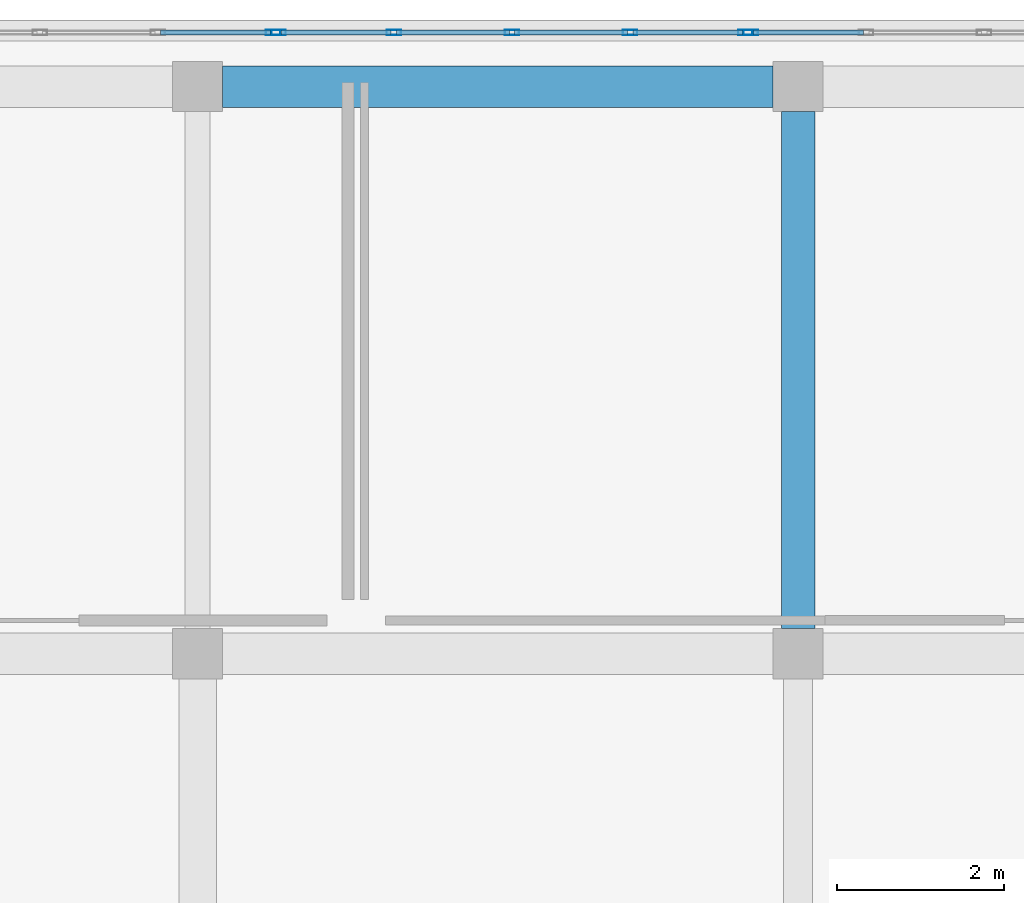
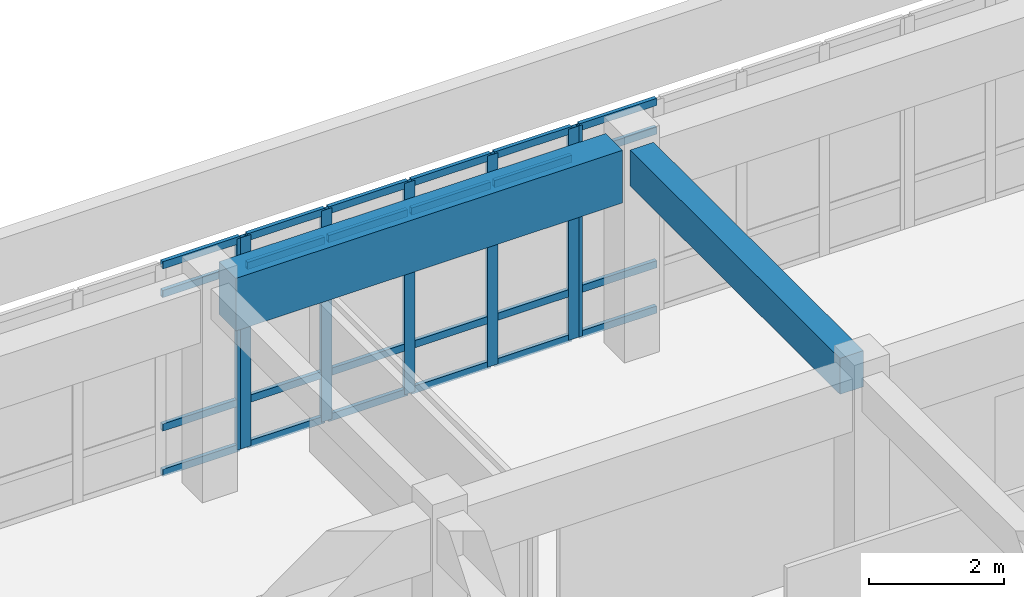
# One storey, part 7 of 14: 31 members, 2 beams, 3 elements without a shape of their own.
"""IFC4 building model written with IfcOpenShell, lengths in metres."""

import ifcopenshell
import ifcopenshell.guid

model = None  # the IFC model being written
_history = None  # IfcOwnerHistory: only IFC2X3 demands one
_inside = {}  # id of a spatial element -> (the spatial element, [elements in it])
_under = {}  # id of a project, library or spatial element -> (it, [spatial elements below it])
_declared = {}  # id of a project -> (the project, [libraries it declares])
_typed = {}  # id of a type object -> (the type object, [elements of that type])
_made_of = {}  # id of a material, layer set ... -> (it, [elements and type objects made of it])


def new_model(schema):
    """Start an empty IFC model of exactly this schema.

    Asked for "IFC4X3", IfcOpenShell would pick the latest addendum, in which some entities
    have other attributes; the version numbers below select the first issue.
    IFC2X3 requires an IfcOwnerHistory on every rooted entity: one is made here for all.
    """
    global model, _history
    if schema == "IFC4X3":
        model = ifcopenshell.file(schema_version=(4, 3, 0, 0))
    else:
        model = ifcopenshell.file(schema=schema)
    _inside.clear()
    _under.clear()
    _declared.clear()
    _typed.clear()
    _made_of.clear()
    _history = None
    if model.schema == "IFC2X3":
        org = make("IfcOrganization", Name="unknown")
        user = make(
            "IfcPersonAndOrganization",
            ThePerson=make("IfcPerson", FamilyName="unknown"),
            TheOrganization=org,
        )
        app = make(
            "IfcApplication",
            ApplicationDeveloper=org,
            Version="unknown",
            ApplicationFullName="unknown",
            ApplicationIdentifier="unknown",
        )
        _history = make(
            "IfcOwnerHistory",
            OwningUser=user,
            OwningApplication=app,
            ChangeAction="ADDED",
            CreationDate=0,
        )
    return model


def make(cls, **values):
    """One entity of the class cls with the attributes given. An attribute that is None is left unset."""
    return model.create_entity(
        cls, **{name: value for name, value in values.items() if value is not None}
    )


def rooted(cls, **values):
    """An entity with a GlobalId (a new one), such as an element, a storey or a relation."""
    return make(cls, GlobalId=ifcopenshell.guid.new(), OwnerHistory=_history, **values)


def si_unit(unit_type, name, prefix=None):
    """IfcSIUnit, for example si_unit("LENGTHUNIT", "METRE", prefix="MILLI")."""
    return make("IfcSIUnit", UnitType=unit_type, Prefix=prefix, Name=name)


def assignment(units):
    """IfcUnitAssignment: the units of a project."""
    return None if units is None else make("IfcUnitAssignment", Units=units)


def point(xyz):
    """IfcCartesianPoint."""
    return None if xyz is None else make("IfcCartesianPoint", Coordinates=xyz)


def direction(xyz):
    """IfcDirection."""
    return None if xyz is None else make("IfcDirection", DirectionRatios=xyz)


def frame(location, z_axis=None, x_axis=None):
    """IfcAxis2Placement3D, a coordinate frame: its origin and axes. An axis left out is left unset."""
    return make(
        "IfcAxis2Placement3D",
        Location=point(location),
        Axis=direction(z_axis),
        RefDirection=direction(x_axis),
    )


def frame_2d(location, x_axis=None):
    """IfcAxis2Placement2D, a coordinate frame in the plane: its origin and x axis."""
    return make(
        "IfcAxis2Placement2D", Location=point(location), RefDirection=direction(x_axis)
    )


def origin():
    """The frame at (0, 0, 0) with its axes left unset."""
    return frame((0.0, 0.0, 0.0))


def origin_2d():
    """The frame at (0, 0) in the plane with its x axis left unset."""
    return frame_2d((0.0, 0.0))


def place(relative_to, where):
    """IfcLocalPlacement: puts the frame where relative to a parent placement (None: the world)."""
    return make(
        "IfcLocalPlacement", PlacementRelTo=relative_to, RelativePlacement=where
    )


def context(
    kind, dimensions, precision=None, world=None, true_north=None, identifier=None
):
    """IfcGeometricRepresentationContext, for example the 3D "Model" context."""
    return make(
        "IfcGeometricRepresentationContext",
        ContextIdentifier=identifier,
        ContextType=kind,
        CoordinateSpaceDimension=dimensions,
        Precision=precision,
        WorldCoordinateSystem=world,
        TrueNorth=true_north,
    )


def subcontext(parent, identifier, kind, view, scale=None):
    """IfcGeometricRepresentationSubContext, for example "Body" below "Model"."""
    return make(
        "IfcGeometricRepresentationSubContext",
        ContextIdentifier=identifier,
        ContextType=kind,
        ParentContext=parent,
        TargetScale=scale,
        TargetView=view,
    )


def project(units=None, contexts=None):
    """IfcProject with its units and contexts."""
    return rooted(
        "IfcProject",
        Name="project",
        RepresentationContexts=contexts,
        UnitsInContext=assignment(units),
    )


def spatial(cls, under=None, at=None, **own):
    """A site, building, storey or space (cls), placed at a placement, below another one or the project."""
    s = rooted(cls, ObjectPlacement=at, **own)
    if under is not None:
        _under.setdefault(under.id(), (under, []))[1].append(s)
    return s


def profile(cls, at=None, kind="AREA", **sizes):
    """A parametric profile (cls). Its sizes go by their IFC names, for example OverallWidth=200.0."""
    return make(cls, ProfileType=kind, Position=at, **sizes)


def rectangle(**sizes):
    """IfcRectangleProfileDef."""
    return profile("IfcRectangleProfileDef", **sizes)


def hollow_rectangle(**sizes):
    """IfcRectangleHollowProfileDef."""
    return profile("IfcRectangleHollowProfileDef", **sizes)


def extrude(swept, where, along, depth):
    """IfcExtrudedAreaSolid: the profile swept, set in the frame where, extruded along a direction by depth."""
    return make(
        "IfcExtrudedAreaSolid",
        SweptArea=swept,
        Position=where,
        ExtrudedDirection=direction(along),
        Depth=depth,
    )


def shape(context_of_items, identifier, shape_type, items):
    """IfcShapeRepresentation: the items that make up one representation, for example the "Body"."""
    return make(
        "IfcShapeRepresentation",
        ContextOfItems=context_of_items,
        RepresentationIdentifier=identifier,
        RepresentationType=shape_type,
        Items=items,
    )


def material(Name=None, Category=None):
    """IfcMaterial."""
    return make("IfcMaterial", Name=Name, Category=Category)


def layer(
    of_material, thickness, ventilated=None, Name=None, Category=None, Priority=None
):
    """IfcMaterialLayer: one layer of a wall or slab, of a material (None: an air gap)."""
    return make(
        "IfcMaterialLayer",
        Material=of_material,
        LayerThickness=thickness,
        IsVentilated=ventilated,
        Name=Name,
        Category=Category,
        Priority=Priority,
    )


def layer_set(layers, Name=None):
    """IfcMaterialLayerSet."""
    return make("IfcMaterialLayerSet", MaterialLayers=layers, LayerSetName=Name)


def material_profile(
    of_material, cross_section, Name=None, Category=None, Priority=None
):
    """IfcMaterialProfile: a cross section and its material."""
    return make(
        "IfcMaterialProfile",
        Name=Name,
        Material=of_material,
        Profile=cross_section,
        Priority=Priority,
        Category=Category,
    )


def profile_set(profiles, Name=None, composite=None):
    """IfcMaterialProfileSet."""
    return make(
        "IfcMaterialProfileSet",
        Name=Name,
        MaterialProfiles=profiles,
        CompositeProfile=composite,
    )


def made_of(thing, what):
    """Note that an element or type object is made of a material, layer set ...; save() writes the relation."""
    if what is not None:
        _made_of.setdefault(what.id(), (what, []))[1].append(thing)
    return thing


def type_object(cls, material=None, **own):
    """A type object (cls), such as IfcWallType, which elements share."""
    return made_of(rooted(cls, **own), material)


def element(
    cls,
    number,
    at=None,
    inside=None,
    cuts=None,
    type_object=None,
    material=None,
    context=None,
    identifier="Body",
    shape_type=None,
    held_by="IfcProductDefinitionShape",
    body=None,
    shapes=None,
    **own,
):
    """One element of the class cls, such as IfcWall. Its Tag is "e" and its number.

    at: its placement. inside: the storey or other place that contains it. cuts: it is an
    opening in that element (IfcRelVoidsElement). A single representation is given by context,
    identifier, shape_type and body (its items); several are given by shapes. held_by: the class
    of the entity that holds the representations. save() writes the other relations.
    """
    e = rooted(cls, Tag="e%d" % number, ObjectPlacement=at, **own)
    if body is not None:
        shapes = [shape(context, identifier, shape_type, body)]
    if shapes is not None:
        e.Representation = make(held_by, Representations=shapes)
    if inside is not None:
        _inside.setdefault(inside.id(), (inside, []))[1].append(e)
    if cuts is not None:
        rooted(
            "IfcRelVoidsElement", RelatingBuildingElement=cuts, RelatedOpeningElement=e
        )
    if type_object is not None:
        _typed.setdefault(type_object.id(), (type_object, []))[1].append(e)
    return made_of(e, material)


def aggregate(whole, parts):
    """IfcRelAggregates: a whole, such as a stair, and the parts it consists of."""
    return rooted("IfcRelAggregates", RelatingObject=whole, RelatedObjects=parts)


def save(model, path):
    """Write the relations noted so far, then the file.

    IfcRelAggregates (storeys below a building ...), IfcRelContainedInSpatialStructure (elements
    in a storey), IfcRelDefinesByType, IfcRelAssociatesMaterial and IfcRelDeclares: one each for
    every whole, place, type object, material and project.
    """
    for whole, parts in _under.values():
        aggregate(whole, parts)
    for where, things in _inside.values():
        rooted(
            "IfcRelContainedInSpatialStructure",
            RelatedElements=things,
            RelatingStructure=where,
        )
    for kind, things in _typed.values():
        rooted("IfcRelDefinesByType", RelatedObjects=things, RelatingType=kind)
    for what, things in _made_of.values():
        rooted("IfcRelAssociatesMaterial", RelatedObjects=things, RelatingMaterial=what)
    for by, libraries in _declared.values():
        rooted("IfcRelDeclares", RelatingContext=by, RelatedDefinitions=libraries)
    model.write(path)


model = new_model("IFC4")

# Units and contexts
model_context = context("Model", 3, precision=1e-05, world=origin(), true_north=direction((0.0, 1.0)))
body_context = subcontext(model_context, "Body", "Model", "MODEL_VIEW")
ifc_project = project(units=[si_unit("LENGTHUNIT", "METRE"), si_unit("AREAUNIT", "SQUARE_METRE"), si_unit("VOLUMEUNIT", "CUBIC_METRE"), si_unit("PLANEANGLEUNIT", "RADIAN"), si_unit("MASSUNIT", "GRAM", prefix="KILO")], contexts=[model_context])

# Site, building, storey
site_placement = place(None, origin())
site = spatial("IfcSite", under=ifc_project, at=site_placement, CompositionType="ELEMENT")
building_placement = place(site_placement, origin())
building = spatial("IfcBuilding", under=site, at=building_placement, Name="Valcora Specialist Clinic", CompositionType="ELEMENT")
storey_placement = place(building_placement, frame((0.0, 0.0, 21.760009765625)))
storey = spatial("IfcBuildingStorey", under=building, at=storey_placement, Name="L05", CompositionType="ELEMENT", Elevation=21.760009765625)

# Beams
ifc_material_1 = material(Name="Concrete C40/50", Category="concrete")
ifc_material_profile_1 = material_profile(ifc_material_1, rectangle(XDim=0.39990234375, YDim=0.64990234375, at=origin_2d()), Name="RC-BM-400X650")
ifc_profile_set_1 = profile_set([ifc_material_profile_1], Name="Concrete C40/50")
beam_type_1 = type_object("IfcBeamType", Name="TY-BM-RC400X650", PredefinedType="BEAM", material=ifc_profile_set_1)
beam_1_placement = place(storey_placement, frame((23.39990234375, 15.5, 3.485107421875), z_axis=(0.0, 1.0, 0.0), x_axis=(-1.0, 0.0, 0.0)))
element("IfcBeam", 1, at=beam_1_placement, inside=storey, type_object=beam_type_1, Name="Beam BM-L05-1141", PredefinedType="BEAM", context=body_context, shape_type="SweptSolid", body=[
    extrude(rectangle(XDim=0.39990234375, YDim=0.64990234375, at=origin_2d()), origin(), (0.0, 0.0, 1.0), 6.199951171875),
])
ifc_material_profile_2 = material_profile(ifc_material_1, rectangle(XDim=0.5, YDim=0.949951171875, at=origin_2d()), Name="RC-BM-500X950")
ifc_profile_set_2 = profile_set([ifc_material_profile_2], Name="Concrete C40/50")
beam_type_2 = type_object("IfcBeamType", Name="TY-BM-TR500X950", PredefinedType="BEAM", material=ifc_profile_set_2)
beam_2_placement = place(storey_placement, frame((16.5, 22.0, 3.3349609375), z_axis=(1.0, 0.0, 0.0), x_axis=(0.0, 1.0, 0.0)))
element("IfcBeam", 2, at=beam_2_placement, inside=storey, type_object=beam_type_2, Name="Beam BM-L05-1129", PredefinedType="BEAM", context=body_context, shape_type="SweptSolid", body=[
    extrude(rectangle(XDim=0.5, YDim=0.949951171875, at=origin_2d()), origin(), (0.0, 0.0, 1.0), 6.60009765625),
])

# Curtain wall, member
ifc_material_2 = material(Name="Anodized Bronze Aluminium 6063-T6", Category="aluminium")
ifc_layer = layer(ifc_material_2, 0.175048828125)
ifc_layer_set = layer_set([ifc_layer], Name="Anodized Bronze Aluminium 6063-T6")
curtain_wall_type = type_object("IfcCurtainWallType", Name="TY-CW-V5F15", PredefinedType="NOTDEFINED", material=ifc_layer_set)
curtain_wall_1_placement = place(storey_placement, origin())
curtain_wall_1 = element("IfcCurtainWall", 3, at=curtain_wall_1_placement, inside=storey, type_object=curtain_wall_type, Name="Curtain wall CW-L05-180", PredefinedType="NOTDEFINED")
ifc_material_profile_3 = material_profile(ifc_material_2, hollow_rectangle(XDim=0.06494140625, YDim=0.175048828125, WallThickness=0.00390625, at=origin_2d()), Name="AL-MUL-65X175")
ifc_profile_set_3 = profile_set([ifc_material_profile_3], Name="Anodized Bronze Aluminium 6063-T6")
member_type_1 = type_object("IfcMemberType", Name="TY-CWM-65X175", PredefinedType="MULLION", material=ifc_profile_set_3)
member_1_placement = place(storey_placement, frame((17.10498046875, 22.64990234375, 0.0), z_axis=(0.0, 0.0, 1.0), x_axis=(0.0, 1.0, 0.0)))
member_1 = element("IfcMember", 4, at=member_1_placement, type_object=member_type_1, Name="CW-V5F-15 mullion 5", PredefinedType="MULLION", context=body_context, shape_type="SweptSolid", body=[
    extrude(hollow_rectangle(XDim=0.06494140625, YDim=0.175048828125, WallThickness=0.00390625, at=origin_2d()), origin(), (0.0, 0.0, 1.0), 3.81005859375),
])

# Curtain wall, members
curtain_wall_2_placement = place(storey_placement, origin())
curtain_wall_2 = element("IfcCurtainWall", 5, at=curtain_wall_2_placement, inside=storey, type_object=curtain_wall_type, Name="Curtain wall CW-L05-181", PredefinedType="NOTDEFINED")
member_2_placement = place(storey_placement, frame((17.169921875, 22.64990234375, 0.0), z_axis=(0.0, 0.0, 1.0), x_axis=(0.0, 1.0, 0.0)))
member_2 = element("IfcMember", 6, at=member_2_placement, type_object=member_type_1, Name="CW-V5F-15 mullion 1", PredefinedType="MULLION", context=body_context, shape_type="SweptSolid", body=[
    extrude(hollow_rectangle(XDim=0.06494140625, YDim=0.175048828125, WallThickness=0.00390625, at=origin_2d()), origin(), (0.0, 0.0, 1.0), 3.81005859375),
])
member_3_placement = place(storey_placement, frame((18.55322265625, 22.64990234375, 0.0), z_axis=(0.0, 0.0, 1.0), x_axis=(0.0, 1.0, 0.0)))
member_3 = element("IfcMember", 7, at=member_3_placement, type_object=member_type_1, Name="CW-V5F-15 mullion 2", PredefinedType="MULLION", context=body_context, shape_type="SweptSolid", body=[
    extrude(hollow_rectangle(XDim=0.06494140625, YDim=0.175048828125, WallThickness=0.00390625, at=origin_2d()), origin(), (0.0, 0.0, 1.0), 3.81005859375),
])
member_4_placement = place(storey_placement, frame((19.96875, 22.64990234375, 0.0), z_axis=(0.0, 0.0, 1.0), x_axis=(0.0, 1.0, 0.0)))
member_4 = element("IfcMember", 8, at=member_4_placement, type_object=member_type_1, Name="CW-V5F-15 mullion 3", PredefinedType="MULLION", context=body_context, shape_type="SweptSolid", body=[
    extrude(hollow_rectangle(XDim=0.06494140625, YDim=0.175048828125, WallThickness=0.00390625, at=origin_2d()), origin(), (0.0, 0.0, 1.0), 3.81005859375),
])
member_5_placement = place(storey_placement, frame((21.38427734375, 22.64990234375, 0.0), z_axis=(0.0, 0.0, 1.0), x_axis=(0.0, 1.0, 0.0)))
member_5 = element("IfcMember", 9, at=member_5_placement, type_object=member_type_1, Name="CW-V5F-15 mullion 4", PredefinedType="MULLION", context=body_context, shape_type="SweptSolid", body=[
    extrude(hollow_rectangle(XDim=0.06494140625, YDim=0.175048828125, WallThickness=0.00390625, at=origin_2d()), origin(), (0.0, 0.0, 1.0), 3.81005859375),
])
member_6_placement = place(storey_placement, frame((22.767578125, 22.64990234375, 0.0), z_axis=(0.0, 0.0, 1.0), x_axis=(0.0, 1.0, 0.0)))
member_6 = element("IfcMember", 10, at=member_6_placement, type_object=member_type_1, Name="CW-V5F-15 mullion 5", PredefinedType="MULLION", context=body_context, shape_type="SweptSolid", body=[
    extrude(hollow_rectangle(XDim=0.06494140625, YDim=0.175048828125, WallThickness=0.00390625, at=origin_2d()), origin(), (0.0, 0.0, 1.0), 3.81005859375),
])

# Curtain wall, member
curtain_wall_3_placement = place(storey_placement, origin())
curtain_wall_3 = element("IfcCurtainWall", 11, at=curtain_wall_3_placement, inside=storey, type_object=curtain_wall_type, Name="Curtain wall CW-L05-182", PredefinedType="NOTDEFINED")
member_7_placement = place(storey_placement, frame((22.83251953125, 22.64990234375, 0.0), z_axis=(0.0, 0.0, 1.0), x_axis=(0.0, 1.0, 0.0)))
member_7 = element("IfcMember", 12, at=member_7_placement, type_object=member_type_1, Name="CW-V5F-15 mullion 1", PredefinedType="MULLION", context=body_context, shape_type="SweptSolid", body=[
    extrude(hollow_rectangle(XDim=0.06494140625, YDim=0.175048828125, WallThickness=0.00390625, at=origin_2d()), origin(), (0.0, 0.0, 1.0), 3.81005859375),
])

# Member
ifc_material_profile_4 = material_profile(ifc_material_2, hollow_rectangle(XDim=0.06494140625, YDim=0.1298828125, WallThickness=0.00390625, at=origin_2d()), Name="AL-TRN-65X130")
ifc_profile_set_4 = profile_set([ifc_material_profile_4], Name="Anodized Bronze Aluminium 6063-T6")
member_type_2 = type_object("IfcMemberType", Name="TY-CWT-65X130", PredefinedType="USERDEFINED", material=ifc_profile_set_4)
member_8_placement = place(storey_placement, frame((15.75439453125, 22.64990234375, 0.032470703125), z_axis=(1.0, 0.0, 0.0), x_axis=(0.0, 1.0, 0.0)))
member_8 = element("IfcMember", 13, at=member_8_placement, type_object=member_type_2, Name="CW-V5F-15 transom 4.1", ObjectType="TRANSOM", PredefinedType="USERDEFINED", context=body_context, shape_type="SweptSolid", body=[
    extrude(hollow_rectangle(XDim=0.06494140625, YDim=0.1298828125, WallThickness=0.00390625, at=origin_2d()), origin(), (0.0, 0.0, 1.0), 1.318115234375),
])

member_9_placement = place(storey_placement, frame((15.75439453125, 22.64990234375, 0.85009765625), z_axis=(1.0, 0.0, 0.0), x_axis=(0.0, 1.0, 0.0)))
member_9 = element("IfcMember", 14, at=member_9_placement, type_object=member_type_2, Name="CW-V5F-15 transom 4.2", ObjectType="TRANSOM", PredefinedType="USERDEFINED", context=body_context, shape_type="SweptSolid", body=[
    extrude(hollow_rectangle(XDim=0.06494140625, YDim=0.1298828125, WallThickness=0.00390625, at=origin_2d()), origin(), (0.0, 0.0, 1.0), 1.318115234375),
])

member_10_placement = place(storey_placement, frame((15.75439453125, 22.64990234375, 3.260009765625), z_axis=(1.0, 0.0, 0.0), x_axis=(0.0, 1.0, 0.0)))
member_10 = element("IfcMember", 15, at=member_10_placement, type_object=member_type_2, Name="CW-V5F-15 transom 4.3", ObjectType="TRANSOM", PredefinedType="USERDEFINED", context=body_context, shape_type="SweptSolid", body=[
    extrude(hollow_rectangle(XDim=0.06494140625, YDim=0.1298828125, WallThickness=0.00390625, at=origin_2d()), origin(), (0.0, 0.0, 1.0), 1.318115234375),
])

member_11_placement = place(storey_placement, frame((15.75439453125, 22.64990234375, 3.777587890625), z_axis=(1.0, 0.0, 0.0), x_axis=(0.0, 1.0, 0.0)))
member_11 = element("IfcMember", 16, at=member_11_placement, type_object=member_type_2, Name="CW-V5F-15 transom 4.4", ObjectType="TRANSOM", PredefinedType="USERDEFINED", context=body_context, shape_type="SweptSolid", body=[
    extrude(hollow_rectangle(XDim=0.06494140625, YDim=0.1298828125, WallThickness=0.00390625, at=origin_2d()), origin(), (0.0, 0.0, 1.0), 1.318115234375),
])

aggregate(curtain_wall_1, [member_1, member_8, member_9, member_10, member_11])

member_12_placement = place(storey_placement, frame((17.202392578125, 22.64990234375, 0.032470703125), z_axis=(1.0, 0.0, 0.0), x_axis=(0.0, 1.0, 0.0)))
member_12 = element("IfcMember", 17, at=member_12_placement, type_object=member_type_2, Name="CW-V5F-15 transom 1.1", ObjectType="TRANSOM", PredefinedType="USERDEFINED", context=body_context, shape_type="SweptSolid", body=[
    extrude(hollow_rectangle(XDim=0.06494140625, YDim=0.1298828125, WallThickness=0.00390625, at=origin_2d()), origin(), (0.0, 0.0, 1.0), 1.318115234375),
])

member_13_placement = place(storey_placement, frame((17.202392578125, 22.64990234375, 0.85009765625), z_axis=(1.0, 0.0, 0.0), x_axis=(0.0, 1.0, 0.0)))
member_13 = element("IfcMember", 18, at=member_13_placement, type_object=member_type_2, Name="CW-V5F-15 transom 1.2", ObjectType="TRANSOM", PredefinedType="USERDEFINED", context=body_context, shape_type="SweptSolid", body=[
    extrude(hollow_rectangle(XDim=0.06494140625, YDim=0.1298828125, WallThickness=0.00390625, at=origin_2d()), origin(), (0.0, 0.0, 1.0), 1.318115234375),
])

member_14_placement = place(storey_placement, frame((17.202392578125, 22.64990234375, 3.260009765625), z_axis=(1.0, 0.0, 0.0), x_axis=(0.0, 1.0, 0.0)))
member_14 = element("IfcMember", 19, at=member_14_placement, type_object=member_type_2, Name="CW-V5F-15 transom 1.3", ObjectType="TRANSOM", PredefinedType="USERDEFINED", context=body_context, shape_type="SweptSolid", body=[
    extrude(hollow_rectangle(XDim=0.06494140625, YDim=0.1298828125, WallThickness=0.00390625, at=origin_2d()), origin(), (0.0, 0.0, 1.0), 1.318115234375),
])

member_15_placement = place(storey_placement, frame((17.202392578125, 22.64990234375, 3.777587890625), z_axis=(1.0, 0.0, 0.0), x_axis=(0.0, 1.0, 0.0)))
member_15 = element("IfcMember", 20, at=member_15_placement, type_object=member_type_2, Name="CW-V5F-15 transom 1.4", ObjectType="TRANSOM", PredefinedType="USERDEFINED", context=body_context, shape_type="SweptSolid", body=[
    extrude(hollow_rectangle(XDim=0.06494140625, YDim=0.1298828125, WallThickness=0.00390625, at=origin_2d()), origin(), (0.0, 0.0, 1.0), 1.318115234375),
])

member_16_placement = place(storey_placement, frame((18.585693359375, 22.64990234375, 0.032470703125), z_axis=(1.0, 0.0, 0.0), x_axis=(0.0, 1.0, 0.0)))
member_16 = element("IfcMember", 21, at=member_16_placement, type_object=member_type_2, Name="CW-V5F-15 transom 2.1", ObjectType="TRANSOM", PredefinedType="USERDEFINED", context=body_context, shape_type="SweptSolid", body=[
    extrude(hollow_rectangle(XDim=0.06494140625, YDim=0.1298828125, WallThickness=0.00390625, at=origin_2d()), origin(), (0.0, 0.0, 1.0), 1.3505859375),
])

member_17_placement = place(storey_placement, frame((18.585693359375, 22.64990234375, 0.85009765625), z_axis=(1.0, 0.0, 0.0), x_axis=(0.0, 1.0, 0.0)))
member_17 = element("IfcMember", 22, at=member_17_placement, type_object=member_type_2, Name="CW-V5F-15 transom 2.2", ObjectType="TRANSOM", PredefinedType="USERDEFINED", context=body_context, shape_type="SweptSolid", body=[
    extrude(hollow_rectangle(XDim=0.06494140625, YDim=0.1298828125, WallThickness=0.00390625, at=origin_2d()), origin(), (0.0, 0.0, 1.0), 1.3505859375),
])

member_18_placement = place(storey_placement, frame((18.585693359375, 22.64990234375, 3.260009765625), z_axis=(1.0, 0.0, 0.0), x_axis=(0.0, 1.0, 0.0)))
member_18 = element("IfcMember", 23, at=member_18_placement, type_object=member_type_2, Name="CW-V5F-15 transom 2.3", ObjectType="TRANSOM", PredefinedType="USERDEFINED", context=body_context, shape_type="SweptSolid", body=[
    extrude(hollow_rectangle(XDim=0.06494140625, YDim=0.1298828125, WallThickness=0.00390625, at=origin_2d()), origin(), (0.0, 0.0, 1.0), 1.3505859375),
])

member_19_placement = place(storey_placement, frame((18.585693359375, 22.64990234375, 3.777587890625), z_axis=(1.0, 0.0, 0.0), x_axis=(0.0, 1.0, 0.0)))
member_19 = element("IfcMember", 24, at=member_19_placement, type_object=member_type_2, Name="CW-V5F-15 transom 2.4", ObjectType="TRANSOM", PredefinedType="USERDEFINED", context=body_context, shape_type="SweptSolid", body=[
    extrude(hollow_rectangle(XDim=0.06494140625, YDim=0.1298828125, WallThickness=0.00390625, at=origin_2d()), origin(), (0.0, 0.0, 1.0), 1.3505859375),
])

member_20_placement = place(storey_placement, frame((20.001220703125, 22.64990234375, 0.032470703125), z_axis=(1.0, 0.0, 0.0), x_axis=(0.0, 1.0, 0.0)))
member_20 = element("IfcMember", 25, at=member_20_placement, type_object=member_type_2, Name="CW-V5F-15 transom 3.1", ObjectType="TRANSOM", PredefinedType="USERDEFINED", context=body_context, shape_type="SweptSolid", body=[
    extrude(hollow_rectangle(XDim=0.06494140625, YDim=0.1298828125, WallThickness=0.00390625, at=origin_2d()), origin(), (0.0, 0.0, 1.0), 1.3505859375),
])

member_21_placement = place(storey_placement, frame((20.001220703125, 22.64990234375, 0.85009765625), z_axis=(1.0, 0.0, 0.0), x_axis=(0.0, 1.0, 0.0)))
member_21 = element("IfcMember", 26, at=member_21_placement, type_object=member_type_2, Name="CW-V5F-15 transom 3.2", ObjectType="TRANSOM", PredefinedType="USERDEFINED", context=body_context, shape_type="SweptSolid", body=[
    extrude(hollow_rectangle(XDim=0.06494140625, YDim=0.1298828125, WallThickness=0.00390625, at=origin_2d()), origin(), (0.0, 0.0, 1.0), 1.3505859375),
])

member_22_placement = place(storey_placement, frame((20.001220703125, 22.64990234375, 3.260009765625), z_axis=(1.0, 0.0, 0.0), x_axis=(0.0, 1.0, 0.0)))
member_22 = element("IfcMember", 27, at=member_22_placement, type_object=member_type_2, Name="CW-V5F-15 transom 3.3", ObjectType="TRANSOM", PredefinedType="USERDEFINED", context=body_context, shape_type="SweptSolid", body=[
    extrude(hollow_rectangle(XDim=0.06494140625, YDim=0.1298828125, WallThickness=0.00390625, at=origin_2d()), origin(), (0.0, 0.0, 1.0), 1.3505859375),
])

member_23_placement = place(storey_placement, frame((20.001220703125, 22.64990234375, 3.777587890625), z_axis=(1.0, 0.0, 0.0), x_axis=(0.0, 1.0, 0.0)))
member_23 = element("IfcMember", 28, at=member_23_placement, type_object=member_type_2, Name="CW-V5F-15 transom 3.4", ObjectType="TRANSOM", PredefinedType="USERDEFINED", context=body_context, shape_type="SweptSolid", body=[
    extrude(hollow_rectangle(XDim=0.06494140625, YDim=0.1298828125, WallThickness=0.00390625, at=origin_2d()), origin(), (0.0, 0.0, 1.0), 1.3505859375),
])

member_24_placement = place(storey_placement, frame((21.4169921875, 22.64990234375, 0.032470703125), z_axis=(1.0, 0.0, 0.0), x_axis=(0.0, 1.0, 0.0)))
member_24 = element("IfcMember", 29, at=member_24_placement, type_object=member_type_2, Name="CW-V5F-15 transom 4.1", ObjectType="TRANSOM", PredefinedType="USERDEFINED", context=body_context, shape_type="SweptSolid", body=[
    extrude(hollow_rectangle(XDim=0.06494140625, YDim=0.1298828125, WallThickness=0.00390625, at=origin_2d()), origin(), (0.0, 0.0, 1.0), 1.318115234375),
])

member_25_placement = place(storey_placement, frame((21.4169921875, 22.64990234375, 0.85009765625), z_axis=(1.0, 0.0, 0.0), x_axis=(0.0, 1.0, 0.0)))
member_25 = element("IfcMember", 30, at=member_25_placement, type_object=member_type_2, Name="CW-V5F-15 transom 4.2", ObjectType="TRANSOM", PredefinedType="USERDEFINED", context=body_context, shape_type="SweptSolid", body=[
    extrude(hollow_rectangle(XDim=0.06494140625, YDim=0.1298828125, WallThickness=0.00390625, at=origin_2d()), origin(), (0.0, 0.0, 1.0), 1.318115234375),
])

member_26_placement = place(storey_placement, frame((21.4169921875, 22.64990234375, 3.260009765625), z_axis=(1.0, 0.0, 0.0), x_axis=(0.0, 1.0, 0.0)))
member_26 = element("IfcMember", 31, at=member_26_placement, type_object=member_type_2, Name="CW-V5F-15 transom 4.3", ObjectType="TRANSOM", PredefinedType="USERDEFINED", context=body_context, shape_type="SweptSolid", body=[
    extrude(hollow_rectangle(XDim=0.06494140625, YDim=0.1298828125, WallThickness=0.00390625, at=origin_2d()), origin(), (0.0, 0.0, 1.0), 1.318115234375),
])

member_27_placement = place(storey_placement, frame((21.4169921875, 22.64990234375, 3.777587890625), z_axis=(1.0, 0.0, 0.0), x_axis=(0.0, 1.0, 0.0)))
member_27 = element("IfcMember", 32, at=member_27_placement, type_object=member_type_2, Name="CW-V5F-15 transom 4.4", ObjectType="TRANSOM", PredefinedType="USERDEFINED", context=body_context, shape_type="SweptSolid", body=[
    extrude(hollow_rectangle(XDim=0.06494140625, YDim=0.1298828125, WallThickness=0.00390625, at=origin_2d()), origin(), (0.0, 0.0, 1.0), 1.318115234375),
])

aggregate(curtain_wall_2, [member_2, member_3, member_4, member_5, member_6, member_12, member_13, member_14, member_15, member_16, member_17, member_18, member_19, member_20, member_21, member_22, member_23, member_24, member_25, member_26, member_27])

member_28_placement = place(storey_placement, frame((22.864990234375, 22.64990234375, 0.032470703125), z_axis=(1.0, 0.0, 0.0), x_axis=(0.0, 1.0, 0.0)))
member_28 = element("IfcMember", 33, at=member_28_placement, type_object=member_type_2, Name="CW-V5F-15 transom 1.1", ObjectType="TRANSOM", PredefinedType="USERDEFINED", context=body_context, shape_type="SweptSolid", body=[
    extrude(hollow_rectangle(XDim=0.06494140625, YDim=0.1298828125, WallThickness=0.00390625, at=origin_2d()), origin(), (0.0, 0.0, 1.0), 1.318115234375),
])

member_29_placement = place(storey_placement, frame((22.864990234375, 22.64990234375, 0.85009765625), z_axis=(1.0, 0.0, 0.0), x_axis=(0.0, 1.0, 0.0)))
member_29 = element("IfcMember", 34, at=member_29_placement, type_object=member_type_2, Name="CW-V5F-15 transom 1.2", ObjectType="TRANSOM", PredefinedType="USERDEFINED", context=body_context, shape_type="SweptSolid", body=[
    extrude(hollow_rectangle(XDim=0.06494140625, YDim=0.1298828125, WallThickness=0.00390625, at=origin_2d()), origin(), (0.0, 0.0, 1.0), 1.318115234375),
])

member_30_placement = place(storey_placement, frame((22.864990234375, 22.64990234375, 3.260009765625), z_axis=(1.0, 0.0, 0.0), x_axis=(0.0, 1.0, 0.0)))
member_30 = element("IfcMember", 35, at=member_30_placement, type_object=member_type_2, Name="CW-V5F-15 transom 1.3", ObjectType="TRANSOM", PredefinedType="USERDEFINED", context=body_context, shape_type="SweptSolid", body=[
    extrude(hollow_rectangle(XDim=0.06494140625, YDim=0.1298828125, WallThickness=0.00390625, at=origin_2d()), origin(), (0.0, 0.0, 1.0), 1.318115234375),
])

member_31_placement = place(storey_placement, frame((22.864990234375, 22.64990234375, 3.777587890625), z_axis=(1.0, 0.0, 0.0), x_axis=(0.0, 1.0, 0.0)))
member_31 = element("IfcMember", 36, at=member_31_placement, type_object=member_type_2, Name="CW-V5F-15 transom 1.4", ObjectType="TRANSOM", PredefinedType="USERDEFINED", context=body_context, shape_type="SweptSolid", body=[
    extrude(hollow_rectangle(XDim=0.06494140625, YDim=0.1298828125, WallThickness=0.00390625, at=origin_2d()), origin(), (0.0, 0.0, 1.0), 1.318115234375),
])

aggregate(curtain_wall_3, [member_7, member_28, member_29, member_30, member_31])

save(model, "model.ifc")
